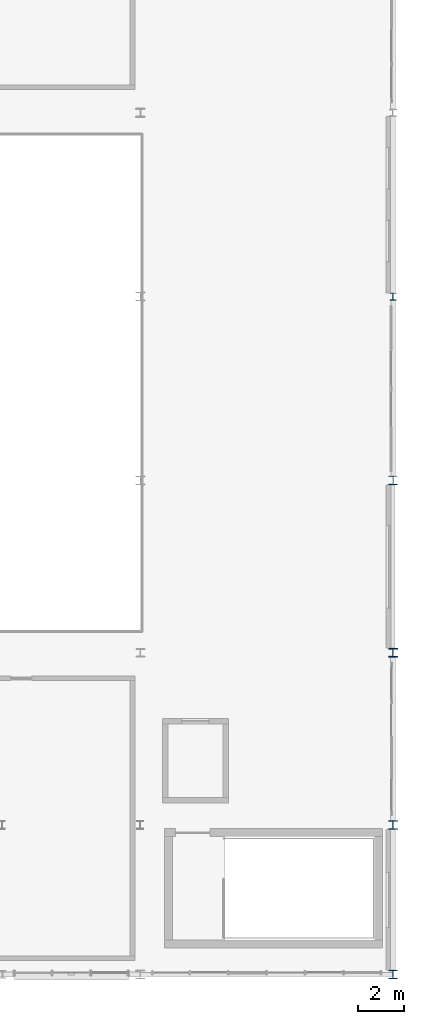
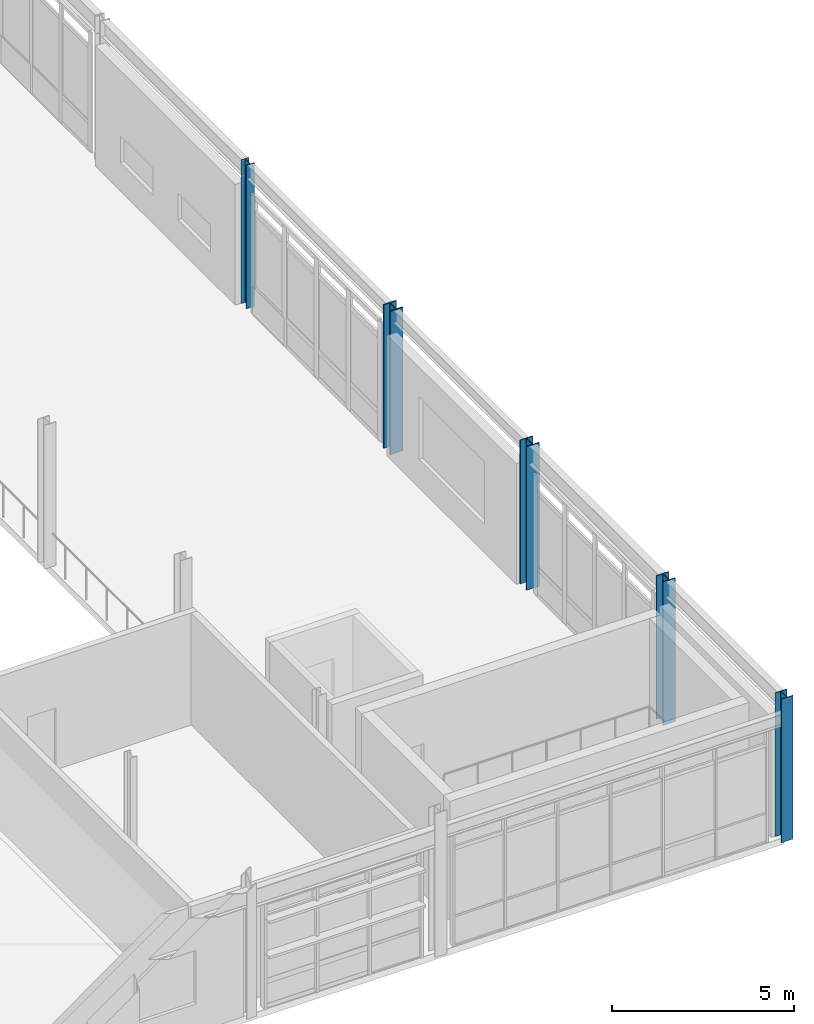
# One storey, part 3 of 56: 5 columns.
"""IFC4 building model written with IfcOpenShell, lengths in metres."""

from ifc_helpers import new_model, si_unit, direction, frame, origin, origin_2d, place, context, subcontext, project, spatial, i_section, extrude, material, material_profile, profile_set, type_object, element, save


model = new_model("IFC4")

# Units and contexts
model_context = context("Model", 3, precision=1e-05, world=origin(), true_north=direction((0.0, 1.0)))
body_context = subcontext(model_context, "Body", "Model", "MODEL_VIEW")
ifc_project = project(units=[si_unit("LENGTHUNIT", "METRE"), si_unit("AREAUNIT", "SQUARE_METRE"), si_unit("VOLUMEUNIT", "CUBIC_METRE"), si_unit("PLANEANGLEUNIT", "RADIAN"), si_unit("MASSUNIT", "GRAM", prefix="KILO"), si_unit("THERMODYNAMICTEMPERATUREUNIT", "KELVIN"), si_unit("POWERUNIT", "WATT")], contexts=[model_context])

# Site, building, storey
site_placement = place(None, origin())
site = spatial("IfcSite", under=ifc_project, at=site_placement, CompositionType="ELEMENT")
building_placement = place(site_placement, origin())
building = spatial("IfcBuilding", under=site, at=building_placement, Name="Tepalcoro Natatorium and Aquatics Centre", CompositionType="ELEMENT")
storey_placement = place(building_placement, frame((0.0, 0.0, 14.800048828125)))
storey = spatial("IfcBuildingStorey", under=building, at=storey_placement, Name="L03", CompositionType="ELEMENT", Elevation=14.800048828125)

# Columns
ifc_material = material(Name="Steel ASTM A992 Grade 50 (Fy 345 MPa)", Category="steel")
ifc_material_profile_1 = material_profile(ifc_material, i_section(OverallWidth=0.25390625, OverallDepth=0.306884765625, WebThickness=0.009033203125, FlangeThickness=0.014892578125, FilletRadius=0.013916015625, at=origin_2d()), Name="W12X53")
ifc_profile_set_1 = profile_set([ifc_material_profile_1], Name="Steel ASTM A992 Grade 50 (Fy 345 MPa)")
column_type_1 = type_object("IfcColumnType", Name="COL_W12x53", PredefinedType="COLUMN", material=ifc_profile_set_1)
column_1_placement = place(storey_placement, frame((176.0, 36.0, 0.0), z_axis=(0.0, 0.0, 1.0), x_axis=(1.0, 0.0, 0.0)))
element("IfcColumn", 1, at=column_1_placement, inside=storey, type_object=column_type_1, Name="V2 L03 Grid Column (176.0, 36.0)", PredefinedType="COLUMN", context=body_context, shape_type="SweptSolid", body=[
    extrude(i_section(OverallWidth=0.25390625, OverallDepth=0.306884765625, WebThickness=0.009033203125, FlangeThickness=0.014892578125, FilletRadius=0.013916015625, at=origin_2d()), origin(), (0.0, 0.0, 1.0), 4.820068359375),
])
ifc_material_profile_2 = material_profile(ifc_material, i_section(OverallWidth=0.373046875, OverallDepth=0.367919921875, WebThickness=0.014892578125, FlangeThickness=0.02392578125, FilletRadius=0.013916015625, at=origin_2d()), Name="W14X120")
ifc_profile_set_2 = profile_set([ifc_material_profile_2], Name="Steel ASTM A992 Grade 50 (Fy 345 MPa)")
column_type_2 = type_object("IfcColumnType", Name="COL_W14x120", PredefinedType="COLUMN", material=ifc_profile_set_2)
column_2_placement = place(storey_placement, frame((176.0, 6.5, 0.0), z_axis=(0.0, 0.0, 1.0), x_axis=(1.0, 0.0, 0.0)))
element("IfcColumn", 2, at=column_2_placement, inside=storey, type_object=column_type_2, Name="V2 L03 Grid Column (176.0, 6.5)", PredefinedType="COLUMN", context=body_context, shape_type="SweptSolid", body=[
    extrude(i_section(OverallWidth=0.373046875, OverallDepth=0.367919921875, WebThickness=0.014892578125, FlangeThickness=0.02392578125, FilletRadius=0.013916015625, at=origin_2d()), origin(), (0.0, 0.0, 1.0), 4.820068359375),
])
ifc_material_profile_3 = material_profile(ifc_material, i_section(OverallWidth=0.39404296875, OverallDepth=0.3759765625, WebThickness=0.01708984375, FlangeThickness=0.028076171875, FilletRadius=0.013916015625, at=origin_2d()), Name="W14X145")
ifc_profile_set_3 = profile_set([ifc_material_profile_3], Name="Steel ASTM A992 Grade 50 (Fy 345 MPa)")
column_type_3 = type_object("IfcColumnType", Name="COL_W14x145", PredefinedType="COLUMN", material=ifc_profile_set_3)
column_3_placement = place(storey_placement, frame((176.0, 13.0, 0.0), z_axis=(0.0, 0.0, 1.0), x_axis=(1.0, 0.0, 0.0)))
element("IfcColumn", 3, at=column_3_placement, inside=storey, type_object=column_type_3, Name="V2 L03 Grid Column (176.0, 13.0)", PredefinedType="COLUMN", context=body_context, shape_type="SweptSolid", body=[
    extrude(i_section(OverallWidth=0.39404296875, OverallDepth=0.3759765625, WebThickness=0.01708984375, FlangeThickness=0.028076171875, FilletRadius=0.013916015625, at=origin_2d()), origin(), (0.0, 0.0, 1.0), 4.820068359375),
])
ifc_material_profile_4 = material_profile(ifc_material, i_section(OverallWidth=0.39892578125, OverallDepth=0.385986328125, WebThickness=0.02099609375, FlangeThickness=0.032958984375, FilletRadius=0.013916015625, at=origin_2d()), Name="W14X176")
ifc_profile_set_4 = profile_set([ifc_material_profile_4], Name="Steel ASTM A992 Grade 50 (Fy 345 MPa)")
column_type_4 = type_object("IfcColumnType", Name="COL_W14x176", PredefinedType="COLUMN", material=ifc_profile_set_4)
column_4_placement = place(storey_placement, frame((176.0, 20.5, 0.0), z_axis=(0.0, 0.0, 1.0), x_axis=(1.0, 0.0, 0.0)))
element("IfcColumn", 4, at=column_4_placement, inside=storey, type_object=column_type_4, Name="V2 L03 Grid Column (176.0, 20.5)", PredefinedType="COLUMN", context=body_context, shape_type="SweptSolid", body=[
    extrude(i_section(OverallWidth=0.39892578125, OverallDepth=0.385986328125, WebThickness=0.02099609375, FlangeThickness=0.032958984375, FilletRadius=0.013916015625, at=origin_2d()), origin(), (0.0, 0.0, 1.0), 4.820068359375),
])
ifc_material_profile_5 = material_profile(ifc_material, i_section(OverallWidth=0.40087890625, OverallDepth=0.39892578125, WebThickness=0.02490234375, FlangeThickness=0.0400390625, FilletRadius=0.013916015625, at=origin_2d()), Name="W14X211")
ifc_profile_set_5 = profile_set([ifc_material_profile_5], Name="Steel ASTM A992 Grade 50 (Fy 345 MPa)")
column_type_5 = type_object("IfcColumnType", Name="COL_W14x211", PredefinedType="COLUMN", material=ifc_profile_set_5)
column_5_placement = place(storey_placement, frame((176.0, 28.0, 0.0), z_axis=(0.0, 0.0, 1.0), x_axis=(1.0, 0.0, 0.0)))
element("IfcColumn", 5, at=column_5_placement, inside=storey, type_object=column_type_5, Name="V2 L03 Grid Column (176.0, 28.0)", PredefinedType="COLUMN", context=body_context, shape_type="SweptSolid", body=[
    extrude(i_section(OverallWidth=0.40087890625, OverallDepth=0.39892578125, WebThickness=0.02490234375, FlangeThickness=0.0400390625, FilletRadius=0.013916015625, at=origin_2d()), origin(), (0.0, 0.0, 1.0), 4.820068359375),
])

save(model, "model.ifc")
